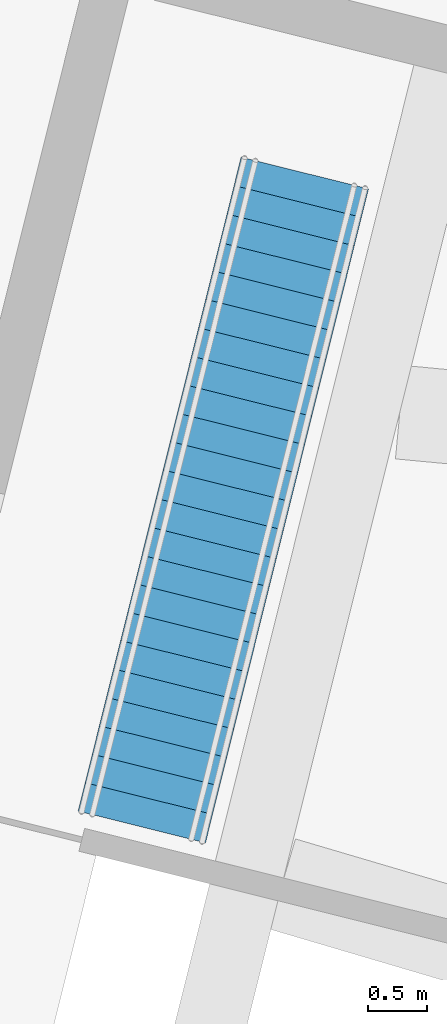
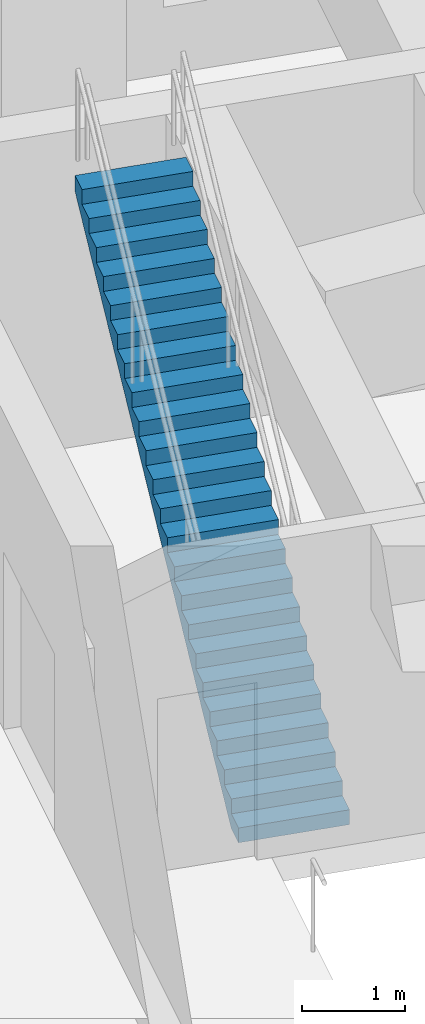
# One storey, part 11 of 12: 1 stair flight, 1 element without a shape of its own.
"""IFC4 building model written with IfcOpenShell, lengths in metres."""

from ifc_helpers import new_model, si_unit, direction, frame, origin, place, context, subcontext, project, spatial, polyline, outline, extrude, material, type_object, element, aggregate, save


model = new_model("IFC4")

# Units and contexts
model_context = context("Model", 3, precision=1e-05, world=origin(), true_north=direction((0.0, 1.0)))
body_context = subcontext(model_context, "Body", "Model", "MODEL_VIEW")
ifc_project = project(units=[si_unit("LENGTHUNIT", "METRE"), si_unit("AREAUNIT", "SQUARE_METRE"), si_unit("VOLUMEUNIT", "CUBIC_METRE"), si_unit("PLANEANGLEUNIT", "RADIAN"), si_unit("MASSUNIT", "GRAM", prefix="KILO")], contexts=[model_context])

# Site, building, storey
site_placement = place(None, origin())
site = spatial("IfcSite", under=ifc_project, at=site_placement, CompositionType="ELEMENT")
building_placement = place(site_placement, origin())
building = spatial("IfcBuilding", under=site, at=building_placement, Name="Meshkara Civic Tower", CompositionType="ELEMENT")
storey_placement = place(building_placement, frame((0.0, 0.0, 87.60009765625)))
storey = spatial("IfcBuildingStorey", under=building, at=storey_placement, Name="L19", CompositionType="ELEMENT", Elevation=87.60009765625)

# Stair, stair flight
ifc_material_1 = material(Name="Precast concrete C40/50", Category="concrete")
stair_type = type_object("IfcStairType", Name="Exit stair straight 24 risers 1120 precast", PredefinedType="STRAIGHT_RUN_STAIR", material=ifc_material_1)
stair_placement = place(storey_placement, origin())
stair = element("IfcStair", 1, at=stair_placement, inside=storey, type_object=stair_type, Name="L19 end core B exit stair 2", PredefinedType="STRAIGHT_RUN_STAIR")
ifc_material_2 = material(Name="Precast concrete C40/50", Category="concrete")
stair_flight_type = type_object("IfcStairFlightType", Name="Exit stair flight 24 risers 1120 precast", PredefinedType="STRAIGHT", material=ifc_material_2)
stair_flight_placement = place(storey_placement, frame((79.216064453125, -9.6201171875, 0.0), z_axis=(0.0, 0.0, 1.0), x_axis=(0.2419218956, 0.970295726276, 0.0)))
stair_flight = element("IfcStairFlight", 2, at=stair_flight_placement, type_object=stair_flight_type, Name="ESBT flight 1", NumberOfRisers=24, NumberOfTreads=23, PredefinedType="STRAIGHT", RiserHeight=0.175, TreadLength=0.25, context=body_context, shape_type="SweptSolid", body=[
    extrude(outline(polyline([(0.0, 0.0), (0.0, 0.175048828125), (0.25, 0.175048828125), (0.25, 0.35009765625), (0.5, 0.35009765625), (0.5, 0.52490234375), (0.75, 0.52490234375), (0.75, 0.699951171875), (1.0, 0.699951171875), (1.0, 0.875), (1.25, 0.875), (1.25, 1.050048828125), (1.5, 1.050048828125), (1.5, 1.22509765625), (1.75, 1.22509765625), (1.75, 1.39990234375), (2.0, 1.39990234375), (2.0, 1.574951171875), (2.25, 1.574951171875), (2.25, 1.75), (2.5, 1.75), (2.5, 1.925048828125), (2.75, 1.925048828125), (2.75, 2.10009765625), (3.0, 2.10009765625), (3.0, 2.27490234375), (3.25, 2.27490234375), (3.25, 2.449951171875), (3.5, 2.449951171875), (3.5, 2.625), (3.75, 2.625), (3.75, 2.800048828125), (4.0, 2.800048828125), (4.0, 2.97509765625), (4.25, 2.97509765625), (4.25, 3.14990234375), (4.5, 3.14990234375), (4.5, 3.324951171875), (4.75, 3.324951171875), (4.75, 3.5), (5.0, 3.5), (5.0, 3.675048828125), (5.25, 3.675048828125), (5.25, 3.85009765625), (5.5, 3.85009765625), (5.5, 4.02490234375), (5.75, 4.02490234375), (5.75, 4.199951171875), (5.75, 3.842041015625), (0.261474609375, 0.0), (0.0, 0.0)])), frame((0.0, 0.56005859375, 0.0), z_axis=(0.0, -1.0, 0.0), x_axis=(1.0, 0.0, 0.0)), (0.0, 0.0, 1.0), 1.1201171875),
])
aggregate(stair, [stair_flight])

save(model, "model.ifc")
